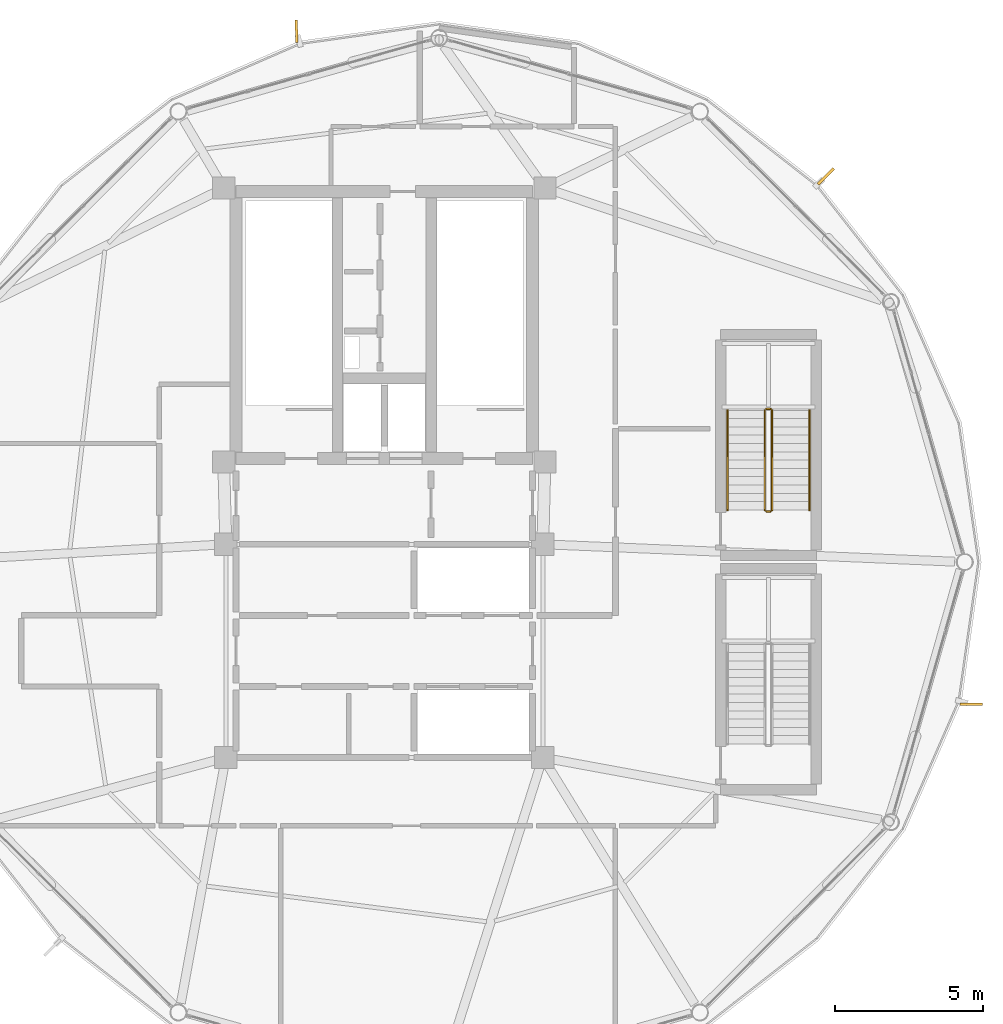
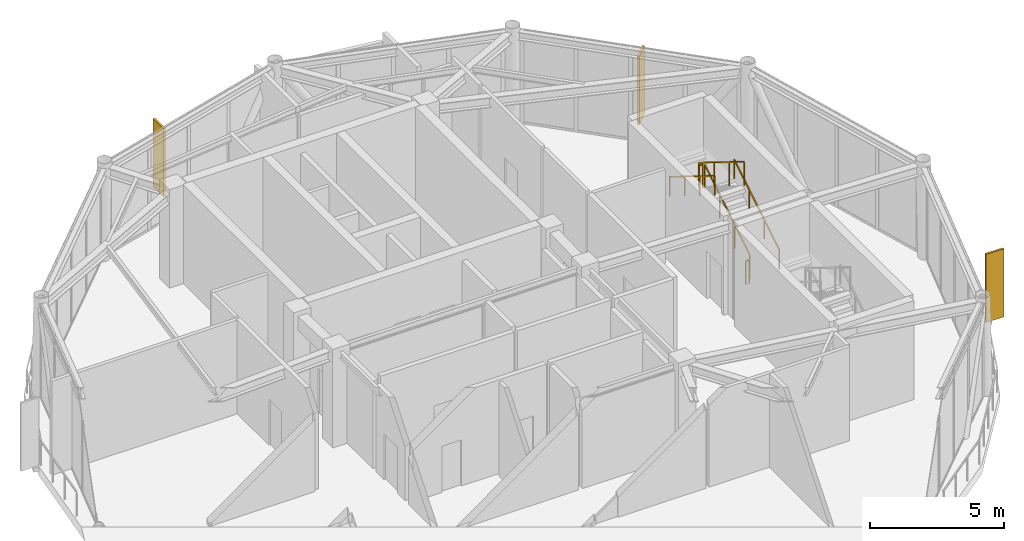
# One storey, part 26 of 26: 6 railings, 3 shading devices.
"""IFC4 building model written with IfcOpenShell, lengths in metres."""

from ifc_helpers import new_model, si_unit, direction, frame, origin, origin_2d, place, context, subcontext, project, spatial, rectangle, extrude, source, transform, mapped, material, type_object, type_shapes, element, save


model = new_model("IFC4")

# Units and contexts
model_context = context("Model", 3, precision=1e-05, world=origin(), true_north=direction((0.0, 1.0)))
body_context = subcontext(model_context, "Body", "Model", "MODEL_VIEW")
ifc_project = project(units=[si_unit("LENGTHUNIT", "METRE"), si_unit("AREAUNIT", "SQUARE_METRE"), si_unit("VOLUMEUNIT", "CUBIC_METRE"), si_unit("PLANEANGLEUNIT", "RADIAN"), si_unit("MASSUNIT", "GRAM", prefix="KILO")], contexts=[model_context])

# Site, building, storey
site_placement = place(None, origin())
site = spatial("IfcSite", under=ifc_project, at=site_placement, CompositionType="ELEMENT")
building_placement = place(site_placement, origin())
building = spatial("IfcBuilding", under=site, at=building_placement, Name="Varnakorn Sky Granary", CompositionType="ELEMENT")
storey_placement = place(building_placement, frame((0.0, 0.0, 289.5)))
storey = spatial("IfcBuildingStorey", under=building, at=storey_placement, Name="L74", CompositionType="ELEMENT", Elevation=289.5)

# Railings
ifc_material_1 = material(Name="Brushed Stainless Steel 316", Category="steel")
railing_type_1 = type_object("IfcRailingType", Name="RL-STAIR-1100", PredefinedType="GUARDRAIL", material=ifc_material_1)
railing_1_placement = place(storey_placement, frame((16.090087890625, 1.760009765625, 0.173095703125)))
element("IfcRailing", 1, at=railing_1_placement, inside=storey, type_object=railing_type_1, Name="L74 ST-C1 stair guard 1", PredefinedType="GUARDRAIL", context=body_context, shape_type="SweptSolid", body=[
    extrude(rectangle(XDim=0.048095703125, YDim=0.048095703125, at=origin_2d()), frame((0.0, 0.0, 1.076171875), z_axis=(0.0, 0.850623216509, 0.525775754039), x_axis=(-1.0, 0.0, 0.0)), (0.0, 0.0, 1.0), 3.9501953125),
    extrude(rectangle(XDim=0.0419921875, YDim=0.0419921875, at=origin_2d()), origin(), (0.0, 0.0, 1.0), 1.048095703125),
    extrude(rectangle(XDim=0.0419921875, YDim=0.0419921875, at=origin_2d()), frame((0.0, 1.1201171875, 0.6923828125)), (0.0, 0.0, 1.0), 1.048095703125),
    extrude(rectangle(XDim=0.0419921875, YDim=0.0419921875, at=origin_2d()), frame((0.0, 2.239990234375, 1.384521484375)), (0.0, 0.0, 1.0), 1.048095703125),
    extrude(rectangle(XDim=0.0419921875, YDim=0.0419921875, at=origin_2d()), frame((0.0, 3.360107421875, 2.076904296875)), (0.0, 0.0, 1.0), 1.048095703125),
])
railing_2_placement = place(storey_placement, frame((16.0400390625, 5.169921875, 2.25)))
element("IfcRailing", 2, at=railing_2_placement, inside=storey, type_object=railing_type_1, Name="L74 ST-C1 stair guard 2", PredefinedType="GUARDRAIL", context=body_context, shape_type="SweptSolid", body=[
    extrude(rectangle(XDim=0.048095703125, YDim=0.048095703125, at=origin_2d()), frame((0.0, 0.0, 1.076171875), z_axis=(-1.0, 0.0, 0.0), x_axis=(0.0, -1.0, 0.0)), (0.0, 0.0, 1.0), 0.150146484375),
    extrude(rectangle(XDim=0.0419921875, YDim=0.0419921875, at=origin_2d()), origin(), (0.0, 0.0, 1.0), 1.048095703125),
    extrude(rectangle(XDim=0.0419921875, YDim=0.0419921875, at=origin_2d()), frame((-0.150146484375, 0.0, 0.0)), (0.0, 0.0, 1.0), 1.048095703125),
])
railing_3_placement = place(storey_placement, frame((15.840087890625, 5.1201171875, 2.423095703125)))
element("IfcRailing", 3, at=railing_3_placement, inside=storey, type_object=railing_type_1, Name="L74 ST-C1 stair guard 3", PredefinedType="GUARDRAIL", context=body_context, shape_type="SweptSolid", body=[
    extrude(rectangle(XDim=0.048095703125, YDim=0.048095703125, at=origin_2d()), frame((0.0, 0.0, 1.076171875), z_axis=(0.0, -0.850623216509, 0.525775754039), x_axis=(1.0, 0.0, 0.0)), (0.0, 0.0, 1.0), 3.9501953125),
    extrude(rectangle(XDim=0.0419921875, YDim=0.0419921875, at=origin_2d()), origin(), (0.0, 0.0, 1.0), 1.048095703125),
    extrude(rectangle(XDim=0.0419921875, YDim=0.0419921875, at=origin_2d()), frame((0.0, -1.1201171875, 0.6923828125)), (0.0, 0.0, 1.0), 1.048095703125),
    extrude(rectangle(XDim=0.0419921875, YDim=0.0419921875, at=origin_2d()), frame((0.0, -2.239990234375, 1.384521484375)), (0.0, 0.0, 1.0), 1.048095703125),
    extrude(rectangle(XDim=0.0419921875, YDim=0.0419921875, at=origin_2d()), frame((0.0, -3.360107421875, 2.076904296875)), (0.0, 0.0, 1.0), 1.048095703125),
])
railing_4_placement = place(storey_placement, frame((16.0400390625, 1.7099609375, 0.0)))
element("IfcRailing", 4, at=railing_4_placement, inside=storey, type_object=railing_type_1, Name="L74 ST-C1 stair guard 4", PredefinedType="GUARDRAIL", context=body_context, shape_type="SweptSolid", body=[
    extrude(rectangle(XDim=0.048095703125, YDim=0.048095703125, at=origin_2d()), frame((0.0, 0.0, 1.076171875), z_axis=(-1.0, 0.0, 0.0), x_axis=(0.0, -1.0, 0.0)), (0.0, 0.0, 1.0), 0.150146484375),
    extrude(rectangle(XDim=0.0419921875, YDim=0.0419921875, at=origin_2d()), origin(), (0.0, 0.0, 1.0), 1.048095703125),
    extrude(rectangle(XDim=0.0419921875, YDim=0.0419921875, at=origin_2d()), frame((-0.150146484375, 0.0, 0.0)), (0.0, 0.0, 1.0), 1.048095703125),
])
railing_type_2 = type_object("IfcRailingType", Name="RL-STAIR-920", PredefinedType="HANDRAIL", material=ifc_material_1)
railing_5_placement = place(storey_placement, frame((17.35009765625, 1.760009765625, 0.173095703125)))
element("IfcRailing", 5, at=railing_5_placement, inside=storey, type_object=railing_type_2, Name="L74 ST-C1 stair handrail 1", PredefinedType="HANDRAIL", context=body_context, shape_type="SweptSolid", body=[
    extrude(rectangle(XDim=0.048095703125, YDim=0.048095703125, at=origin_2d()), frame((0.0, 0.0, 0.8759765625), z_axis=(0.0, 0.850623216509, 0.525775754039), x_axis=(-1.0, 0.0, 0.0)), (0.0, 0.0, 1.0), 3.9501953125),
    extrude(rectangle(XDim=0.0419921875, YDim=0.0419921875, at=origin_2d()), origin(), (0.0, 0.0, 1.0), 0.847900390625),
    extrude(rectangle(XDim=0.0419921875, YDim=0.0419921875, at=origin_2d()), frame((0.0, 1.1201171875, 0.6923828125)), (0.0, 0.0, 1.0), 0.847900390625),
    extrude(rectangle(XDim=0.0419921875, YDim=0.0419921875, at=origin_2d()), frame((0.0, 2.239990234375, 1.384521484375)), (0.0, 0.0, 1.0), 0.847900390625),
    extrude(rectangle(XDim=0.0419921875, YDim=0.0419921875, at=origin_2d()), frame((0.0, 3.360107421875, 2.076904296875)), (0.0, 0.0, 1.0), 0.847900390625),
])
railing_6_placement = place(storey_placement, frame((14.580078125, 5.1201171875, 2.423095703125)))
element("IfcRailing", 6, at=railing_6_placement, inside=storey, type_object=railing_type_2, Name="L74 ST-C1 stair handrail 2", PredefinedType="HANDRAIL", context=body_context, shape_type="SweptSolid", body=[
    extrude(rectangle(XDim=0.048095703125, YDim=0.048095703125, at=origin_2d()), frame((0.0, 0.0, 0.8759765625), z_axis=(0.0, -0.850623216509, 0.525775754039), x_axis=(1.0, 0.0, 0.0)), (0.0, 0.0, 1.0), 3.9501953125),
    extrude(rectangle(XDim=0.0419921875, YDim=0.0419921875, at=origin_2d()), origin(), (0.0, 0.0, 1.0), 0.847900390625),
    extrude(rectangle(XDim=0.0419921875, YDim=0.0419921875, at=origin_2d()), frame((0.0, -1.1201171875, 0.6923828125)), (0.0, 0.0, 1.0), 0.847900390625),
    extrude(rectangle(XDim=0.0419921875, YDim=0.0419921875, at=origin_2d()), frame((0.0, -2.239990234375, 1.384521484375)), (0.0, 0.0, 1.0), 0.847900390625),
    extrude(rectangle(XDim=0.0419921875, YDim=0.0419921875, at=origin_2d()), frame((0.0, -3.360107421875, 2.076904296875)), (0.0, 0.0, 1.0), 0.847900390625),
])

# Shading devices
ifc_material_2 = material(Name="Anodised Bronze Aluminium Alloy 6063-T6", Category="aluminium")
shading_device_type = type_object("IfcShadingDeviceType", Name="SH-FIN-03", PredefinedType="USERDEFINED", material=ifc_material_2)
shared_shape = source(origin(), body_context, "Body", "SweptSolid", [
    extrude(rectangle(XDim=0.0849609375, YDim=0.760009765625, at=origin_2d()), origin(), (0.0, 0.0, 1.0), 3.10009765625),
])
type_shapes(shading_device_type, [shared_shape])
for number, where, z_axis, x_axis, name in (
    (7, (17.903564453125, 13.017333984375, -0.0400390625), (0.0, 0.0, 1.0), (-0.706673135972, 0.707540160623, 0.0), "Bronze Solar-Tracking Vertical Blade FIN L74-02"),
    (8, (0.036865234375, 17.9130859375, -0.0400390625), (0.0, 0.0, 1.0), (-0.999782765599, -0.020842783214, 0.0), "Bronze Solar-Tracking Vertical Blade FIN L74-04"),
    (9, (22.8115234375, -4.79931640625, -0.0400390625), (0.0, 0.0, 1.0), (0.019073096081, 0.999818091958, 0.0), "Bronze Solar-Tracking Vertical Blade FIN L74-12"),
):
    element("IfcShadingDevice", number, at=place(storey_placement, frame(where, z_axis=z_axis, x_axis=x_axis)), inside=storey, type_object=shading_device_type, Name=name, ObjectType="FIN", PredefinedType="USERDEFINED", context=body_context, shape_type="MappedRepresentation", body=[
        mapped(shared_shape, transform((0.0, 0.0, 0.0), x_axis=(1.0, 0.0, 0.0), y_axis=(0.0, 1.0, 0.0), z_axis=(0.0, 0.0, 1.0), scale=1.0)),
    ])

save(model, "model.ifc")
